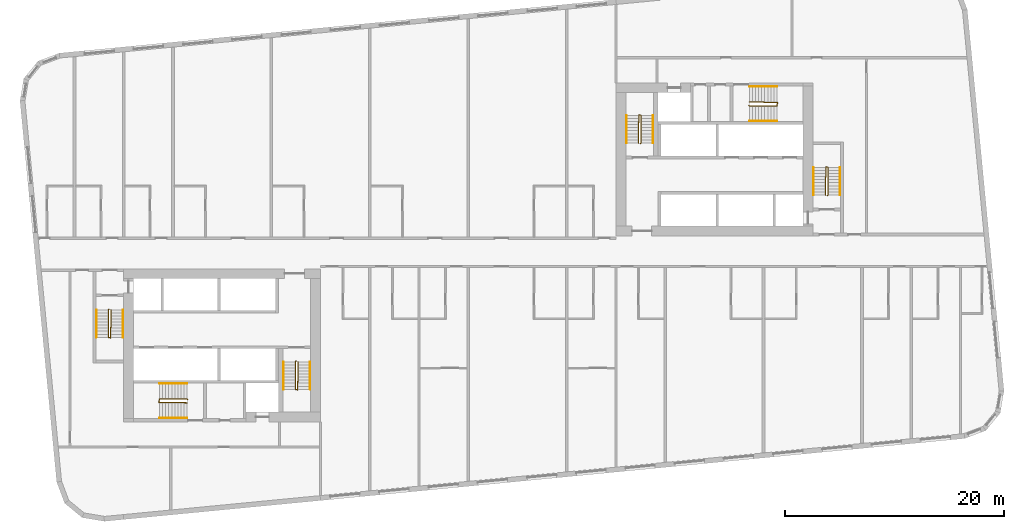
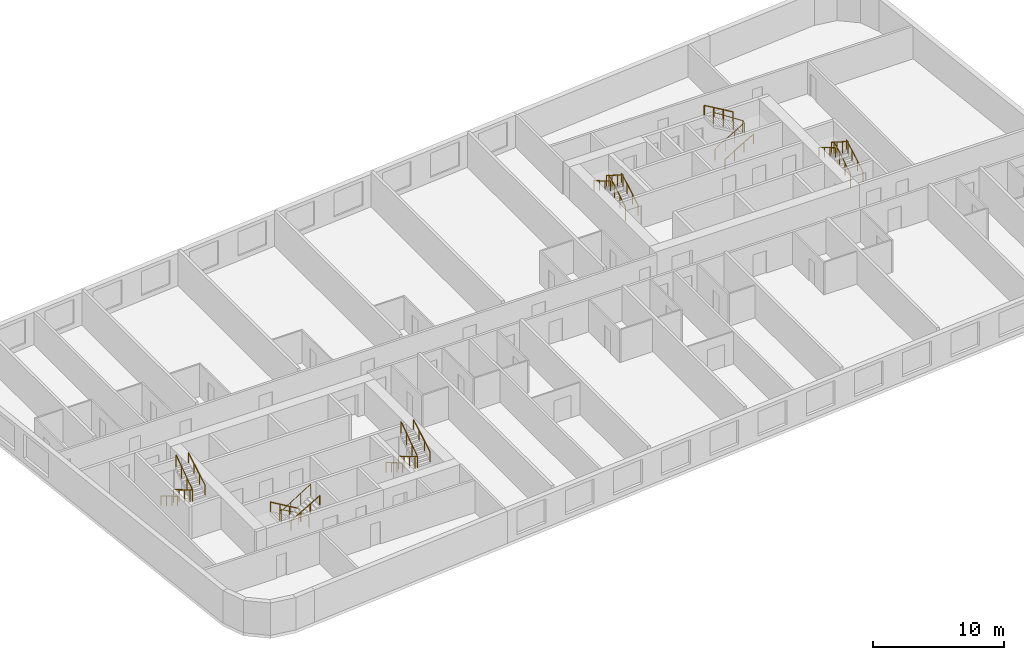
# One storey, part 12 of 12: 18 railings.
"""IFC4 building model written with IfcOpenShell, lengths in metres."""

from ifc_helpers import new_model, si_unit, direction, frame, origin, origin_2d, place, context, subcontext, project, spatial, circle, extrude, material, type_object, element, save


model = new_model("IFC4")

# Units and contexts
model_context = context("Model", 3, precision=1e-05, world=origin(), true_north=direction((0.0, 1.0)))
body_context = subcontext(model_context, "Body", "Model", "MODEL_VIEW")
ifc_project = project(units=[si_unit("LENGTHUNIT", "METRE"), si_unit("AREAUNIT", "SQUARE_METRE"), si_unit("VOLUMEUNIT", "CUBIC_METRE"), si_unit("PLANEANGLEUNIT", "RADIAN"), si_unit("MASSUNIT", "GRAM", prefix="KILO")], contexts=[model_context])

# Site, building, storey
site_placement = place(None, origin())
site = spatial("IfcSite", under=ifc_project, at=site_placement, CompositionType="ELEMENT")
building_placement = place(site_placement, origin())
building = spatial("IfcBuilding", under=site, at=building_placement, Name="Kajstack Hotel Tower", CompositionType="ELEMENT")
storey_placement = place(building_placement, frame((0.0, 0.0, 114.10009765625)))
storey = spatial("IfcBuildingStorey", under=building, at=storey_placement, Name="L24", CompositionType="ELEMENT", Elevation=114.10009765625)

# Railings
ifc_material = material(Name="Steel S355J2", Category="steel")
railing_type_1 = type_object("IfcRailingType", Name="Stair guard 1100", PredefinedType="GUARDRAIL", material=ifc_material)
railing_1_placement = place(storey_placement, frame((-32.85009765625, -5.199951171875, 0.0)))
element("IfcRailing", 1, at=railing_1_placement, inside=storey, type_object=railing_type_1, Name="L24 W1 stair guard 1", PredefinedType="GUARDRAIL", context=body_context, shape_type="SweptSolid", body=[
    extrude(circle(Radius=0.02392578125, at=origin_2d()), frame((0.0, 0.0, 1.076171875), z_axis=(-0.277797701265, -0.279159454702, 0.919183570361), x_axis=(0.708833529934, -0.705375805398, 0.0)), (0.0, 0.0, 1.0), 0.17919921875),
    extrude(circle(Radius=0.02392578125, at=origin_2d()), frame((-0.0498046875, -0.050048828125, 1.24072265625), z_axis=(0.0, -0.86152411907, 0.507716645641), x_axis=(1.0, 0.0, 0.0)), (0.0, 0.0, 1.0), 2.925048828125),
    extrude(circle(Radius=0.02392578125, at=origin_2d()), frame((-0.0498046875, -2.570068359375, 2.72607421875), z_axis=(0.970072785993, -0.242814311512, 0.0), x_axis=(0.242814311512, 0.970072785993, 0.0)), (0.0, 0.0, 1.0), 0.2060546875),
    extrude(circle(Radius=0.02392578125, at=origin_2d()), frame((0.150146484375, -2.6201171875, 2.72607421875), z_axis=(0.016385308676, 0.841405582595, 0.540155687962), x_axis=(-0.999810440751, 0.019470042781, 0.0)), (0.0, 0.0, 1.0), 3.054443359375),
    extrude(circle(Radius=0.02099609375, at=origin_2d()), origin(), (0.0, 0.0, 1.0), 1.052001953125),
    extrude(circle(Radius=0.02099609375, at=origin_2d()), frame((-0.0498046875, -0.050048828125, 0.164794921875)), (0.0, 0.0, 1.0), 1.052001953125),
    extrude(circle(Radius=0.02099609375, at=origin_2d()), frame((-0.0498046875, -0.89013671875, 0.659912109375)), (0.0, 0.0, 1.0), 1.052001953125),
    extrude(circle(Radius=0.02099609375, at=origin_2d()), frame((-0.0498046875, -1.72998046875, 1.15478515625)), (0.0, 0.0, 1.0), 1.052001953125),
    extrude(circle(Radius=0.02099609375, at=origin_2d()), frame((-0.0498046875, -2.570068359375, 1.64990234375)), (0.0, 0.0, 1.0), 1.052001953125),
    extrude(circle(Radius=0.02099609375, at=origin_2d()), frame((0.150146484375, -2.6201171875, 1.64990234375)), (0.0, 0.0, 1.0), 1.052001953125),
    extrude(circle(Radius=0.02099609375, at=origin_2d()), frame((0.166748046875, -1.763427734375, 2.199951171875)), (0.0, 0.0, 1.0), 1.052001953125),
    extrude(circle(Radius=0.02099609375, at=origin_2d()), frame((0.18359375, -0.90673828125, 2.749755859375)), (0.0, 0.0, 1.0), 1.052001953125),
    extrude(circle(Radius=0.02099609375, at=origin_2d()), frame((0.2001953125, -0.050048828125, 3.2998046875)), (0.0, 0.0, 1.0), 1.052001953125),
])
railing_2_placement = place(storey_placement, frame((-15.75, -9.949951171875, 0.0)))
element("IfcRailing", 2, at=railing_2_placement, inside=storey, type_object=railing_type_1, Name="L24 W2 stair guard 1", PredefinedType="GUARDRAIL", context=body_context, shape_type="SweptSolid", body=[
    extrude(circle(Radius=0.02392578125, at=origin_2d()), frame((0.0, 0.0, 1.076171875), z_axis=(-0.279053652268, -0.279053652268, 0.918835196492), x_axis=(0.707106781187, -0.707106781187, 0.0)), (0.0, 0.0, 1.0), 0.179443359375),
    extrude(circle(Radius=0.02392578125, at=origin_2d()), frame((-0.050048828125, -0.050048828125, 1.24072265625), z_axis=(0.0, -0.86152411907, 0.507716645641), x_axis=(1.0, 0.0, 0.0)), (0.0, 0.0, 1.0), 2.925048828125),
    extrude(circle(Radius=0.02392578125, at=origin_2d()), frame((-0.050048828125, -2.570068359375, 2.72607421875), z_axis=(0.970072785993, -0.242814311512, 0.0), x_axis=(0.242814311512, 0.970072785993, 0.0)), (0.0, 0.0, 1.0), 0.2060546875),
    extrude(circle(Radius=0.02392578125, at=origin_2d()), frame((0.14990234375, -2.6201171875, 2.72607421875), z_axis=(0.016385308676, 0.841405582595, 0.540155687962), x_axis=(-0.999810440751, 0.019470042781, 0.0)), (0.0, 0.0, 1.0), 3.054443359375),
    extrude(circle(Radius=0.02099609375, at=origin_2d()), origin(), (0.0, 0.0, 1.0), 1.052001953125),
    extrude(circle(Radius=0.02099609375, at=origin_2d()), frame((-0.050048828125, -0.050048828125, 0.164794921875)), (0.0, 0.0, 1.0), 1.052001953125),
    extrude(circle(Radius=0.02099609375, at=origin_2d()), frame((-0.050048828125, -0.89013671875, 0.659912109375)), (0.0, 0.0, 1.0), 1.052001953125),
    extrude(circle(Radius=0.02099609375, at=origin_2d()), frame((-0.050048828125, -1.72998046875, 1.15478515625)), (0.0, 0.0, 1.0), 1.052001953125),
    extrude(circle(Radius=0.02099609375, at=origin_2d()), frame((-0.050048828125, -2.570068359375, 1.64990234375)), (0.0, 0.0, 1.0), 1.052001953125),
    extrude(circle(Radius=0.02099609375, at=origin_2d()), frame((0.14990234375, -2.6201171875, 1.64990234375)), (0.0, 0.0, 1.0), 1.052001953125),
    extrude(circle(Radius=0.02099609375, at=origin_2d()), frame((0.16650390625, -1.763427734375, 2.199951171875)), (0.0, 0.0, 1.0), 1.052001953125),
    extrude(circle(Radius=0.02099609375, at=origin_2d()), frame((0.183349609375, -0.90673828125, 2.749755859375)), (0.0, 0.0, 1.0), 1.052001953125),
    extrude(circle(Radius=0.02099609375, at=origin_2d()), frame((0.199951171875, -0.050048828125, 3.2998046875)), (0.0, 0.0, 1.0), 1.052001953125),
])
railing_3_placement = place(storey_placement, frame((-25.64990234375, -13.449951171875, 0.0)))
element("IfcRailing", 3, at=railing_3_placement, inside=storey, type_object=railing_type_1, Name="L24 W3 stair guard 1", PredefinedType="GUARDRAIL", context=body_context, shape_type="SweptSolid", body=[
    extrude(circle(Radius=0.02392578125, at=origin_2d()), frame((0.0, 0.0, 1.076171875), z_axis=(-0.279053652268, 0.279053652268, 0.918835196492), x_axis=(-0.707106781187, -0.707106781187, 0.0)), (0.0, 0.0, 1.0), 0.179443359375),
    extrude(circle(Radius=0.02392578125, at=origin_2d()), frame((-0.050048828125, 0.050048828125, 1.24072265625), z_axis=(-0.86152411907, 0.0, 0.507716645641), x_axis=(0.0, -1.0, 0.0)), (0.0, 0.0, 1.0), 2.925048828125),
    extrude(circle(Radius=0.02392578125, at=origin_2d()), frame((-2.570068359375, 0.050048828125, 2.72607421875), z_axis=(-0.164529134168, -0.986372223864, 0.0), x_axis=(0.986372223864, -0.164529134168, 0.0)), (0.0, 0.0, 1.0), 0.30419921875),
    extrude(circle(Radius=0.02392578125, at=origin_2d()), frame((-2.6201171875, -0.25, 2.72607421875), z_axis=(0.841405582595, -0.016385308676, 0.540155687962), x_axis=(0.019470042781, 0.999810440751, 0.0)), (0.0, 0.0, 1.0), 3.054443359375),
    extrude(circle(Radius=0.02099609375, at=origin_2d()), origin(), (0.0, 0.0, 1.0), 1.052001953125),
    extrude(circle(Radius=0.02099609375, at=origin_2d()), frame((-0.050048828125, 0.050048828125, 0.164794921875)), (0.0, 0.0, 1.0), 1.052001953125),
    extrude(circle(Radius=0.02099609375, at=origin_2d()), frame((-0.89013671875, 0.050048828125, 0.659912109375)), (0.0, 0.0, 1.0), 1.052001953125),
    extrude(circle(Radius=0.02099609375, at=origin_2d()), frame((-1.72998046875, 0.050048828125, 1.15478515625)), (0.0, 0.0, 1.0), 1.052001953125),
    extrude(circle(Radius=0.02099609375, at=origin_2d()), frame((-2.570068359375, 0.050048828125, 1.64990234375)), (0.0, 0.0, 1.0), 1.052001953125),
    extrude(circle(Radius=0.02099609375, at=origin_2d()), frame((-2.6201171875, -0.25, 1.64990234375)), (0.0, 0.0, 1.0), 1.052001953125),
    extrude(circle(Radius=0.02099609375, at=origin_2d()), frame((-1.763427734375, -0.2666015625, 2.199951171875)), (0.0, 0.0, 1.0), 1.052001953125),
    extrude(circle(Radius=0.02099609375, at=origin_2d()), frame((-0.90673828125, -0.283447265625, 2.749755859375)), (0.0, 0.0, 1.0), 1.052001953125),
    extrude(circle(Radius=0.02099609375, at=origin_2d()), frame((-0.050048828125, -0.300048828125, 3.2998046875)), (0.0, 0.0, 1.0), 1.052001953125),
])
railing_4_placement = place(storey_placement, frame((32.85009765625, 5.199951171875, 0.0)))
element("IfcRailing", 4, at=railing_4_placement, inside=storey, type_object=railing_type_1, Name="L24 E1 stair guard 1", PredefinedType="GUARDRAIL", context=body_context, shape_type="SweptSolid", body=[
    extrude(circle(Radius=0.02392578125, at=origin_2d()), frame((0.0, 0.0, 1.076171875), z_axis=(0.277797701265, 0.279159454702, 0.919183570361), x_axis=(-0.708833529934, 0.705375805398, 0.0)), (0.0, 0.0, 1.0), 0.17919921875),
    extrude(circle(Radius=0.02392578125, at=origin_2d()), frame((0.0498046875, 0.050048828125, 1.24072265625), z_axis=(0.0, 0.86152411907, 0.507716645641), x_axis=(-1.0, 0.0, 0.0)), (0.0, 0.0, 1.0), 2.925048828125),
    extrude(circle(Radius=0.02392578125, at=origin_2d()), frame((0.0498046875, 2.570068359375, 2.72607421875), z_axis=(-0.970072785993, 0.242814311512, 0.0), x_axis=(-0.242814311512, -0.970072785993, 0.0)), (0.0, 0.0, 1.0), 0.2060546875),
    extrude(circle(Radius=0.02392578125, at=origin_2d()), frame((-0.150146484375, 2.6201171875, 2.72607421875), z_axis=(-0.016385308676, -0.841405582595, 0.540155687962), x_axis=(0.999810440751, -0.019470042781, 0.0)), (0.0, 0.0, 1.0), 3.054443359375),
    extrude(circle(Radius=0.02099609375, at=origin_2d()), origin(), (0.0, 0.0, 1.0), 1.052001953125),
    extrude(circle(Radius=0.02099609375, at=origin_2d()), frame((0.0498046875, 0.050048828125, 0.164794921875)), (0.0, 0.0, 1.0), 1.052001953125),
    extrude(circle(Radius=0.02099609375, at=origin_2d()), frame((0.0498046875, 0.89013671875, 0.659912109375)), (0.0, 0.0, 1.0), 1.052001953125),
    extrude(circle(Radius=0.02099609375, at=origin_2d()), frame((0.0498046875, 1.72998046875, 1.15478515625)), (0.0, 0.0, 1.0), 1.052001953125),
    extrude(circle(Radius=0.02099609375, at=origin_2d()), frame((0.0498046875, 2.570068359375, 1.64990234375)), (0.0, 0.0, 1.0), 1.052001953125),
    extrude(circle(Radius=0.02099609375, at=origin_2d()), frame((-0.150146484375, 2.6201171875, 1.64990234375)), (0.0, 0.0, 1.0), 1.052001953125),
    extrude(circle(Radius=0.02099609375, at=origin_2d()), frame((-0.166748046875, 1.763427734375, 2.199951171875)), (0.0, 0.0, 1.0), 1.052001953125),
    extrude(circle(Radius=0.02099609375, at=origin_2d()), frame((-0.18359375, 0.90673828125, 2.749755859375)), (0.0, 0.0, 1.0), 1.052001953125),
    extrude(circle(Radius=0.02099609375, at=origin_2d()), frame((-0.2001953125, 0.050048828125, 3.2998046875)), (0.0, 0.0, 1.0), 1.052001953125),
])
railing_5_placement = place(storey_placement, frame((15.75, 9.949951171875, 0.0)))
element("IfcRailing", 5, at=railing_5_placement, inside=storey, type_object=railing_type_1, Name="L24 E2 stair guard 1", PredefinedType="GUARDRAIL", context=body_context, shape_type="SweptSolid", body=[
    extrude(circle(Radius=0.02392578125, at=origin_2d()), frame((0.0, 0.0, 1.076171875), z_axis=(0.279053652268, 0.279053652268, 0.918835196492), x_axis=(-0.707106781187, 0.707106781187, 0.0)), (0.0, 0.0, 1.0), 0.179443359375),
    extrude(circle(Radius=0.02392578125, at=origin_2d()), frame((0.050048828125, 0.050048828125, 1.24072265625), z_axis=(0.0, 0.86152411907, 0.507716645641), x_axis=(-1.0, 0.0, 0.0)), (0.0, 0.0, 1.0), 2.925048828125),
    extrude(circle(Radius=0.02392578125, at=origin_2d()), frame((0.050048828125, 2.570068359375, 2.72607421875), z_axis=(-0.970072785993, 0.242814311512, 0.0), x_axis=(-0.242814311512, -0.970072785993, 0.0)), (0.0, 0.0, 1.0), 0.2060546875),
    extrude(circle(Radius=0.02392578125, at=origin_2d()), frame((-0.14990234375, 2.6201171875, 2.72607421875), z_axis=(-0.016385308676, -0.841405582595, 0.540155687962), x_axis=(0.999810440751, -0.019470042781, 0.0)), (0.0, 0.0, 1.0), 3.054443359375),
    extrude(circle(Radius=0.02099609375, at=origin_2d()), origin(), (0.0, 0.0, 1.0), 1.052001953125),
    extrude(circle(Radius=0.02099609375, at=origin_2d()), frame((0.050048828125, 0.050048828125, 0.164794921875)), (0.0, 0.0, 1.0), 1.052001953125),
    extrude(circle(Radius=0.02099609375, at=origin_2d()), frame((0.050048828125, 0.89013671875, 0.659912109375)), (0.0, 0.0, 1.0), 1.052001953125),
    extrude(circle(Radius=0.02099609375, at=origin_2d()), frame((0.050048828125, 1.72998046875, 1.15478515625)), (0.0, 0.0, 1.0), 1.052001953125),
    extrude(circle(Radius=0.02099609375, at=origin_2d()), frame((0.050048828125, 2.570068359375, 1.64990234375)), (0.0, 0.0, 1.0), 1.052001953125),
    extrude(circle(Radius=0.02099609375, at=origin_2d()), frame((-0.14990234375, 2.6201171875, 1.64990234375)), (0.0, 0.0, 1.0), 1.052001953125),
    extrude(circle(Radius=0.02099609375, at=origin_2d()), frame((-0.16650390625, 1.763427734375, 2.199951171875)), (0.0, 0.0, 1.0), 1.052001953125),
    extrude(circle(Radius=0.02099609375, at=origin_2d()), frame((-0.183349609375, 0.90673828125, 2.749755859375)), (0.0, 0.0, 1.0), 1.052001953125),
    extrude(circle(Radius=0.02099609375, at=origin_2d()), frame((-0.199951171875, 0.050048828125, 3.2998046875)), (0.0, 0.0, 1.0), 1.052001953125),
])
railing_6_placement = place(storey_placement, frame((25.64990234375, 13.449951171875, 0.0)))
element("IfcRailing", 6, at=railing_6_placement, inside=storey, type_object=railing_type_1, Name="L24 E3 stair guard 1", PredefinedType="GUARDRAIL", context=body_context, shape_type="SweptSolid", body=[
    extrude(circle(Radius=0.02392578125, at=origin_2d()), frame((0.0, 0.0, 1.076171875), z_axis=(0.279053652268, -0.279053652268, 0.918835196492), x_axis=(0.707106781187, 0.707106781187, 0.0)), (0.0, 0.0, 1.0), 0.179443359375),
    extrude(circle(Radius=0.02392578125, at=origin_2d()), frame((0.050048828125, -0.050048828125, 1.24072265625), z_axis=(0.86152411907, 0.0, 0.507716645641), x_axis=(0.0, 1.0, 0.0)), (0.0, 0.0, 1.0), 2.925048828125),
    extrude(circle(Radius=0.02392578125, at=origin_2d()), frame((2.570068359375, -0.050048828125, 2.72607421875), z_axis=(0.164529134168, 0.986372223864, 0.0), x_axis=(-0.986372223864, 0.164529134168, 0.0)), (0.0, 0.0, 1.0), 0.30419921875),
    extrude(circle(Radius=0.02392578125, at=origin_2d()), frame((2.6201171875, 0.25, 2.72607421875), z_axis=(-0.841405582595, 0.016385308676, 0.540155687962), x_axis=(-0.019470042781, -0.999810440751, 0.0)), (0.0, 0.0, 1.0), 3.054443359375),
    extrude(circle(Radius=0.02099609375, at=origin_2d()), origin(), (0.0, 0.0, 1.0), 1.052001953125),
    extrude(circle(Radius=0.02099609375, at=origin_2d()), frame((0.050048828125, -0.050048828125, 0.164794921875)), (0.0, 0.0, 1.0), 1.052001953125),
    extrude(circle(Radius=0.02099609375, at=origin_2d()), frame((0.89013671875, -0.050048828125, 0.659912109375)), (0.0, 0.0, 1.0), 1.052001953125),
    extrude(circle(Radius=0.02099609375, at=origin_2d()), frame((1.72998046875, -0.050048828125, 1.15478515625)), (0.0, 0.0, 1.0), 1.052001953125),
    extrude(circle(Radius=0.02099609375, at=origin_2d()), frame((2.570068359375, -0.050048828125, 1.64990234375)), (0.0, 0.0, 1.0), 1.052001953125),
    extrude(circle(Radius=0.02099609375, at=origin_2d()), frame((2.6201171875, 0.25, 1.64990234375)), (0.0, 0.0, 1.0), 1.052001953125),
    extrude(circle(Radius=0.02099609375, at=origin_2d()), frame((1.763427734375, 0.2666015625, 2.199951171875)), (0.0, 0.0, 1.0), 1.052001953125),
    extrude(circle(Radius=0.02099609375, at=origin_2d()), frame((0.90673828125, 0.283447265625, 2.749755859375)), (0.0, 0.0, 1.0), 1.052001953125),
    extrude(circle(Radius=0.02099609375, at=origin_2d()), frame((0.050048828125, 0.300048828125, 3.2998046875)), (0.0, 0.0, 1.0), 1.052001953125),
])
railing_type_2 = type_object("IfcRailingType", Name="Stair handrail 900", PredefinedType="HANDRAIL", material=ifc_material)
railing_7_placement = place(storey_placement, frame((-34.0, -5.25, 0.164794921875)))
element("IfcRailing", 7, at=railing_7_placement, inside=storey, type_object=railing_type_2, Name="L24 W1 stair handrail 1", PredefinedType="HANDRAIL", context=body_context, shape_type="SweptSolid", body=[
    extrude(circle(Radius=0.02392578125, at=origin_2d()), frame((0.0, 0.0, 0.8759765625), z_axis=(0.0, -0.86152411907, 0.507716645641), x_axis=(1.0, 0.0, 0.0)), (0.0, 0.0, 1.0), 2.925048828125),
    extrude(circle(Radius=0.02099609375, at=origin_2d()), origin(), (0.0, 0.0, 1.0), 0.851806640625),
    extrude(circle(Radius=0.02099609375, at=origin_2d()), frame((0.0, -0.840087890625, 0.4951171875)), (0.0, 0.0, 1.0), 0.851806640625),
    extrude(circle(Radius=0.02099609375, at=origin_2d()), frame((0.0, -1.679931640625, 0.989990234375)), (0.0, 0.0, 1.0), 0.851806640625),
    extrude(circle(Radius=0.02099609375, at=origin_2d()), frame((0.0, -2.52001953125, 1.485107421875)), (0.0, 0.0, 1.0), 0.851806640625),
])
railing_8_placement = place(storey_placement, frame((-31.550048828125, -7.77001953125, 1.81494140625)))
element("IfcRailing", 8, at=railing_8_placement, inside=storey, type_object=railing_type_2, Name="L24 W1 stair handrail 2", PredefinedType="HANDRAIL", context=body_context, shape_type="SweptSolid", body=[
    extrude(circle(Radius=0.02392578125, at=origin_2d()), frame((0.0, 0.0, 0.8759765625), z_axis=(0.0, 0.861560626758, 0.507654692109), x_axis=(-1.0, 0.0, 0.0)), (0.0, 0.0, 1.0), 2.925048828125),
    extrude(circle(Radius=0.02099609375, at=origin_2d()), origin(), (0.0, 0.0, 1.0), 0.851806640625),
    extrude(circle(Radius=0.02099609375, at=origin_2d()), frame((0.0, 0.840087890625, 0.494873046875)), (0.0, 0.0, 1.0), 0.851806640625),
    extrude(circle(Radius=0.02099609375, at=origin_2d()), frame((0.0, 1.679931640625, 0.989990234375)), (0.0, 0.0, 1.0), 0.851806640625),
    extrude(circle(Radius=0.02099609375, at=origin_2d()), frame((0.0, 2.52001953125, 1.48486328125)), (0.0, 0.0, 1.0), 0.851806640625),
])
railing_9_placement = place(storey_placement, frame((-16.89990234375, -10.0, 0.164794921875)))
element("IfcRailing", 9, at=railing_9_placement, inside=storey, type_object=railing_type_2, Name="L24 W2 stair handrail 1", PredefinedType="HANDRAIL", context=body_context, shape_type="SweptSolid", body=[
    extrude(circle(Radius=0.02392578125, at=origin_2d()), frame((0.0, 0.0, 0.8759765625), z_axis=(0.0, -0.86152411907, 0.507716645641), x_axis=(1.0, 0.0, 0.0)), (0.0, 0.0, 1.0), 2.925048828125),
    extrude(circle(Radius=0.02099609375, at=origin_2d()), origin(), (0.0, 0.0, 1.0), 0.851806640625),
    extrude(circle(Radius=0.02099609375, at=origin_2d()), frame((0.0, -0.840087890625, 0.4951171875)), (0.0, 0.0, 1.0), 0.851806640625),
    extrude(circle(Radius=0.02099609375, at=origin_2d()), frame((0.0, -1.679931640625, 0.989990234375)), (0.0, 0.0, 1.0), 0.851806640625),
    extrude(circle(Radius=0.02099609375, at=origin_2d()), frame((0.0, -2.52001953125, 1.485107421875)), (0.0, 0.0, 1.0), 0.851806640625),
])
railing_10_placement = place(storey_placement, frame((-14.449951171875, -12.52001953125, 1.81494140625)))
element("IfcRailing", 10, at=railing_10_placement, inside=storey, type_object=railing_type_2, Name="L24 W2 stair handrail 2", PredefinedType="HANDRAIL", context=body_context, shape_type="SweptSolid", body=[
    extrude(circle(Radius=0.02392578125, at=origin_2d()), frame((0.0, 0.0, 0.8759765625), z_axis=(0.0, 0.861560626758, 0.507654692109), x_axis=(-1.0, 0.0, 0.0)), (0.0, 0.0, 1.0), 2.925048828125),
    extrude(circle(Radius=0.02099609375, at=origin_2d()), origin(), (0.0, 0.0, 1.0), 0.851806640625),
    extrude(circle(Radius=0.02099609375, at=origin_2d()), frame((0.0, 0.840087890625, 0.494873046875)), (0.0, 0.0, 1.0), 0.851806640625),
    extrude(circle(Radius=0.02099609375, at=origin_2d()), frame((0.0, 1.679931640625, 0.989990234375)), (0.0, 0.0, 1.0), 0.851806640625),
    extrude(circle(Radius=0.02099609375, at=origin_2d()), frame((0.0, 2.52001953125, 1.48486328125)), (0.0, 0.0, 1.0), 0.851806640625),
])
railing_11_placement = place(storey_placement, frame((-25.699951171875, -12.0, 0.164794921875)))
element("IfcRailing", 11, at=railing_11_placement, inside=storey, type_object=railing_type_2, Name="L24 W3 stair handrail 1", PredefinedType="HANDRAIL", context=body_context, shape_type="SweptSolid", body=[
    extrude(circle(Radius=0.02392578125, at=origin_2d()), frame((0.0, 0.0, 0.8759765625), z_axis=(-0.86152411907, 0.0, 0.507716645641), x_axis=(0.0, -1.0, 0.0)), (0.0, 0.0, 1.0), 2.925048828125),
    extrude(circle(Radius=0.02099609375, at=origin_2d()), origin(), (0.0, 0.0, 1.0), 0.851806640625),
    extrude(circle(Radius=0.02099609375, at=origin_2d()), frame((-0.840087890625, 0.0, 0.4951171875)), (0.0, 0.0, 1.0), 0.851806640625),
    extrude(circle(Radius=0.02099609375, at=origin_2d()), frame((-1.679931640625, 0.0, 0.989990234375)), (0.0, 0.0, 1.0), 0.851806640625),
    extrude(circle(Radius=0.02099609375, at=origin_2d()), frame((-2.52001953125, 0.0, 1.485107421875)), (0.0, 0.0, 1.0), 0.851806640625),
])
railing_12_placement = place(storey_placement, frame((-28.219970703125, -15.14990234375, 1.81494140625)))
element("IfcRailing", 12, at=railing_12_placement, inside=storey, type_object=railing_type_2, Name="L24 W3 stair handrail 2", PredefinedType="HANDRAIL", context=body_context, shape_type="SweptSolid", body=[
    extrude(circle(Radius=0.02392578125, at=origin_2d()), frame((0.0, 0.0, 0.8759765625), z_axis=(0.861560626758, 0.0, 0.507654692109), x_axis=(0.0, 1.0, 0.0)), (0.0, 0.0, 1.0), 2.925048828125),
    extrude(circle(Radius=0.02099609375, at=origin_2d()), origin(), (0.0, 0.0, 1.0), 0.851806640625),
    extrude(circle(Radius=0.02099609375, at=origin_2d()), frame((0.840087890625, 0.0, 0.494873046875)), (0.0, 0.0, 1.0), 0.851806640625),
    extrude(circle(Radius=0.02099609375, at=origin_2d()), frame((1.679931640625, 0.0, 0.989990234375)), (0.0, 0.0, 1.0), 0.851806640625),
    extrude(circle(Radius=0.02099609375, at=origin_2d()), frame((2.52001953125, 0.0, 1.48486328125)), (0.0, 0.0, 1.0), 0.851806640625),
])
railing_13_placement = place(storey_placement, frame((34.0, 5.25, 0.164794921875)))
element("IfcRailing", 13, at=railing_13_placement, inside=storey, type_object=railing_type_2, Name="L24 E1 stair handrail 1", PredefinedType="HANDRAIL", context=body_context, shape_type="SweptSolid", body=[
    extrude(circle(Radius=0.02392578125, at=origin_2d()), frame((0.0, 0.0, 0.8759765625), z_axis=(0.0, 0.86152411907, 0.507716645641), x_axis=(-1.0, 0.0, 0.0)), (0.0, 0.0, 1.0), 2.925048828125),
    extrude(circle(Radius=0.02099609375, at=origin_2d()), origin(), (0.0, 0.0, 1.0), 0.851806640625),
    extrude(circle(Radius=0.02099609375, at=origin_2d()), frame((0.0, 0.840087890625, 0.4951171875)), (0.0, 0.0, 1.0), 0.851806640625),
    extrude(circle(Radius=0.02099609375, at=origin_2d()), frame((0.0, 1.679931640625, 0.989990234375)), (0.0, 0.0, 1.0), 0.851806640625),
    extrude(circle(Radius=0.02099609375, at=origin_2d()), frame((0.0, 2.52001953125, 1.485107421875)), (0.0, 0.0, 1.0), 0.851806640625),
])
railing_14_placement = place(storey_placement, frame((31.550048828125, 7.77001953125, 1.81494140625)))
element("IfcRailing", 14, at=railing_14_placement, inside=storey, type_object=railing_type_2, Name="L24 E1 stair handrail 2", PredefinedType="HANDRAIL", context=body_context, shape_type="SweptSolid", body=[
    extrude(circle(Radius=0.02392578125, at=origin_2d()), frame((0.0, 0.0, 0.8759765625), z_axis=(0.0, -0.861560626758, 0.507654692109), x_axis=(1.0, 0.0, 0.0)), (0.0, 0.0, 1.0), 2.925048828125),
    extrude(circle(Radius=0.02099609375, at=origin_2d()), origin(), (0.0, 0.0, 1.0), 0.851806640625),
    extrude(circle(Radius=0.02099609375, at=origin_2d()), frame((0.0, -0.840087890625, 0.494873046875)), (0.0, 0.0, 1.0), 0.851806640625),
    extrude(circle(Radius=0.02099609375, at=origin_2d()), frame((0.0, -1.679931640625, 0.989990234375)), (0.0, 0.0, 1.0), 0.851806640625),
    extrude(circle(Radius=0.02099609375, at=origin_2d()), frame((0.0, -2.52001953125, 1.48486328125)), (0.0, 0.0, 1.0), 0.851806640625),
])
railing_15_placement = place(storey_placement, frame((16.89990234375, 10.0, 0.164794921875)))
element("IfcRailing", 15, at=railing_15_placement, inside=storey, type_object=railing_type_2, Name="L24 E2 stair handrail 1", PredefinedType="HANDRAIL", context=body_context, shape_type="SweptSolid", body=[
    extrude(circle(Radius=0.02392578125, at=origin_2d()), frame((0.0, 0.0, 0.8759765625), z_axis=(0.0, 0.86152411907, 0.507716645641), x_axis=(-1.0, 0.0, 0.0)), (0.0, 0.0, 1.0), 2.925048828125),
    extrude(circle(Radius=0.02099609375, at=origin_2d()), origin(), (0.0, 0.0, 1.0), 0.851806640625),
    extrude(circle(Radius=0.02099609375, at=origin_2d()), frame((0.0, 0.840087890625, 0.4951171875)), (0.0, 0.0, 1.0), 0.851806640625),
    extrude(circle(Radius=0.02099609375, at=origin_2d()), frame((0.0, 1.679931640625, 0.989990234375)), (0.0, 0.0, 1.0), 0.851806640625),
    extrude(circle(Radius=0.02099609375, at=origin_2d()), frame((0.0, 2.52001953125, 1.485107421875)), (0.0, 0.0, 1.0), 0.851806640625),
])
railing_16_placement = place(storey_placement, frame((14.449951171875, 12.52001953125, 1.81494140625)))
element("IfcRailing", 16, at=railing_16_placement, inside=storey, type_object=railing_type_2, Name="L24 E2 stair handrail 2", PredefinedType="HANDRAIL", context=body_context, shape_type="SweptSolid", body=[
    extrude(circle(Radius=0.02392578125, at=origin_2d()), frame((0.0, 0.0, 0.8759765625), z_axis=(0.0, -0.861560626758, 0.507654692109), x_axis=(1.0, 0.0, 0.0)), (0.0, 0.0, 1.0), 2.925048828125),
    extrude(circle(Radius=0.02099609375, at=origin_2d()), origin(), (0.0, 0.0, 1.0), 0.851806640625),
    extrude(circle(Radius=0.02099609375, at=origin_2d()), frame((0.0, -0.840087890625, 0.494873046875)), (0.0, 0.0, 1.0), 0.851806640625),
    extrude(circle(Radius=0.02099609375, at=origin_2d()), frame((0.0, -1.679931640625, 0.989990234375)), (0.0, 0.0, 1.0), 0.851806640625),
    extrude(circle(Radius=0.02099609375, at=origin_2d()), frame((0.0, -2.52001953125, 1.48486328125)), (0.0, 0.0, 1.0), 0.851806640625),
])
railing_17_placement = place(storey_placement, frame((25.699951171875, 12.0, 0.164794921875)))
element("IfcRailing", 17, at=railing_17_placement, inside=storey, type_object=railing_type_2, Name="L24 E3 stair handrail 1", PredefinedType="HANDRAIL", context=body_context, shape_type="SweptSolid", body=[
    extrude(circle(Radius=0.02392578125, at=origin_2d()), frame((0.0, 0.0, 0.8759765625), z_axis=(0.86152411907, 0.0, 0.507716645641), x_axis=(0.0, 1.0, 0.0)), (0.0, 0.0, 1.0), 2.925048828125),
    extrude(circle(Radius=0.02099609375, at=origin_2d()), origin(), (0.0, 0.0, 1.0), 0.851806640625),
    extrude(circle(Radius=0.02099609375, at=origin_2d()), frame((0.840087890625, 0.0, 0.4951171875)), (0.0, 0.0, 1.0), 0.851806640625),
    extrude(circle(Radius=0.02099609375, at=origin_2d()), frame((1.679931640625, 0.0, 0.989990234375)), (0.0, 0.0, 1.0), 0.851806640625),
    extrude(circle(Radius=0.02099609375, at=origin_2d()), frame((2.52001953125, 0.0, 1.485107421875)), (0.0, 0.0, 1.0), 0.851806640625),
])
railing_18_placement = place(storey_placement, frame((28.219970703125, 15.14990234375, 1.81494140625)))
element("IfcRailing", 18, at=railing_18_placement, inside=storey, type_object=railing_type_2, Name="L24 E3 stair handrail 2", PredefinedType="HANDRAIL", context=body_context, shape_type="SweptSolid", body=[
    extrude(circle(Radius=0.02392578125, at=origin_2d()), frame((0.0, 0.0, 0.8759765625), z_axis=(-0.861560626758, 0.0, 0.507654692109), x_axis=(0.0, -1.0, 0.0)), (0.0, 0.0, 1.0), 2.925048828125),
    extrude(circle(Radius=0.02099609375, at=origin_2d()), origin(), (0.0, 0.0, 1.0), 0.851806640625),
    extrude(circle(Radius=0.02099609375, at=origin_2d()), frame((-0.840087890625, 0.0, 0.494873046875)), (0.0, 0.0, 1.0), 0.851806640625),
    extrude(circle(Radius=0.02099609375, at=origin_2d()), frame((-1.679931640625, 0.0, 0.989990234375)), (0.0, 0.0, 1.0), 0.851806640625),
    extrude(circle(Radius=0.02099609375, at=origin_2d()), frame((-2.52001953125, 0.0, 1.48486328125)), (0.0, 0.0, 1.0), 0.851806640625),
])

save(model, "model.ifc")
